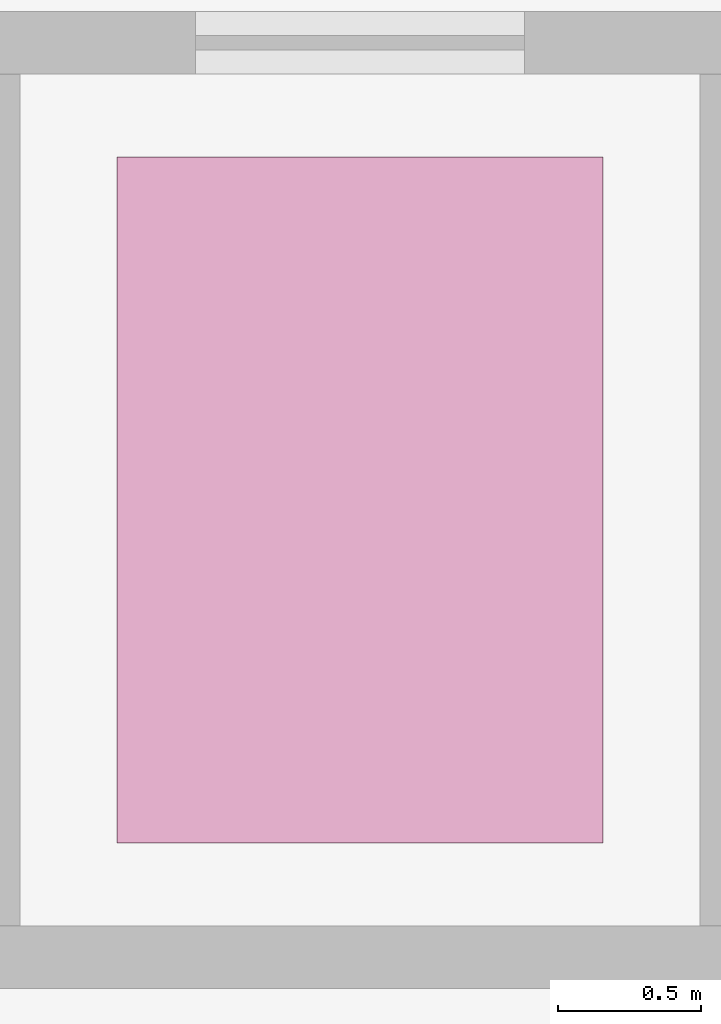
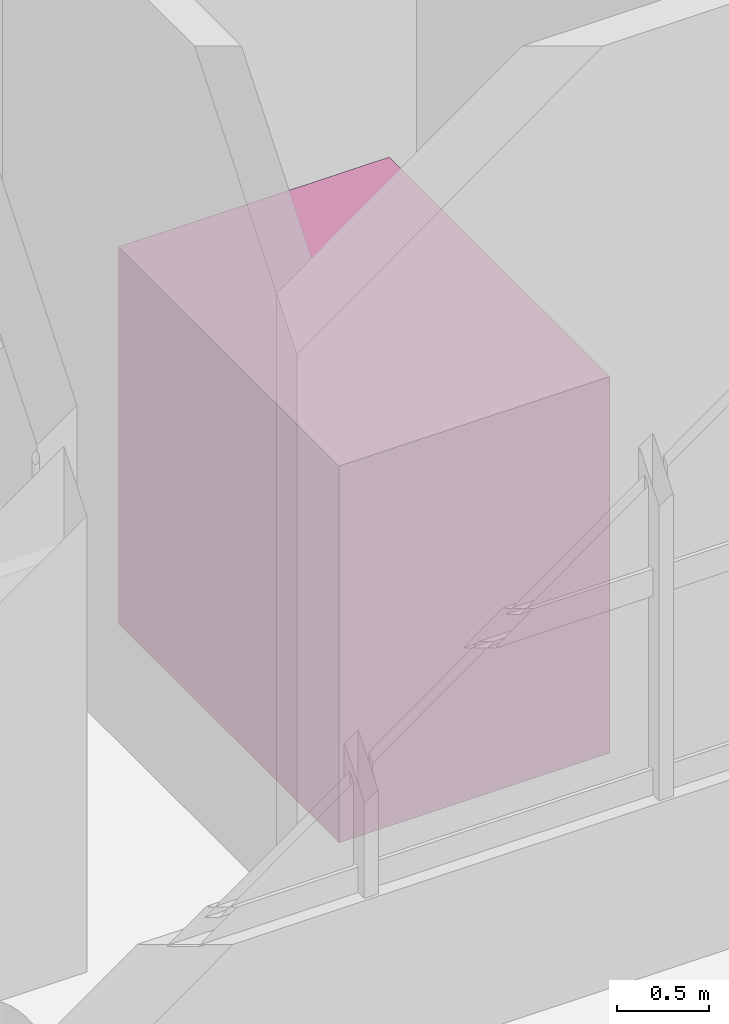
# One storey, part 107 of 107: 1 transport element.
"""IFC4 building model written with IfcOpenShell, lengths in metres."""

from ifc_helpers import new_model, si_unit, direction, frame, origin, origin_2d, place, context, subcontext, project, spatial, rectangle, extrude, material, type_object, element, save


model = new_model("IFC4")

# Units and contexts
model_context = context("Model", 3, precision=1e-05, world=origin(), true_north=direction((0.0, 1.0)))
body_context = subcontext(model_context, "Body", "Model", "MODEL_VIEW")
ifc_project = project(units=[si_unit("LENGTHUNIT", "METRE"), si_unit("AREAUNIT", "SQUARE_METRE"), si_unit("VOLUMEUNIT", "CUBIC_METRE"), si_unit("PLANEANGLEUNIT", "RADIAN"), si_unit("MASSUNIT", "GRAM", prefix="KILO")], contexts=[model_context])

# Site, building, storey
site_placement = place(None, origin())
site = spatial("IfcSite", under=ifc_project, at=site_placement, CompositionType="ELEMENT")
building_placement = place(site_placement, origin())
building = spatial("IfcBuilding", under=site, at=building_placement, Name="Solvento Point Concert Hall", CompositionType="ELEMENT")
storey_placement = place(building_placement, origin())
storey = spatial("IfcBuildingStorey", under=building, at=storey_placement, Name="L00", CompositionType="ELEMENT", Elevation=0.0)

# Transport element
ifc_material = material(Name="Brushed Stainless Steel Elevator Car", Category="steel")
transport_element_type = type_object("IfcTransportElementType", Name="Elevator_Passenger", PredefinedType="ELEVATOR", material=ifc_material)
transport_element_placement = place(storey_placement, frame((162.5, 3.0, 0.0), z_axis=(0.0, 0.0, 1.0), x_axis=(1.0, 0.0, 0.0)))
element("IfcTransportElement", 1, at=transport_element_placement, inside=storey, type_object=transport_element_type, Name="Elevator LP-04 (passenger)", PredefinedType="ELEVATOR", context=body_context, shape_type="SweptSolid", body=[
    extrude(rectangle(XDim=1.699951171875, YDim=2.39990234375, at=origin_2d()), origin(), (0.0, 0.0, 1.0), 2.5),
])

save(model, "model.ifc")
